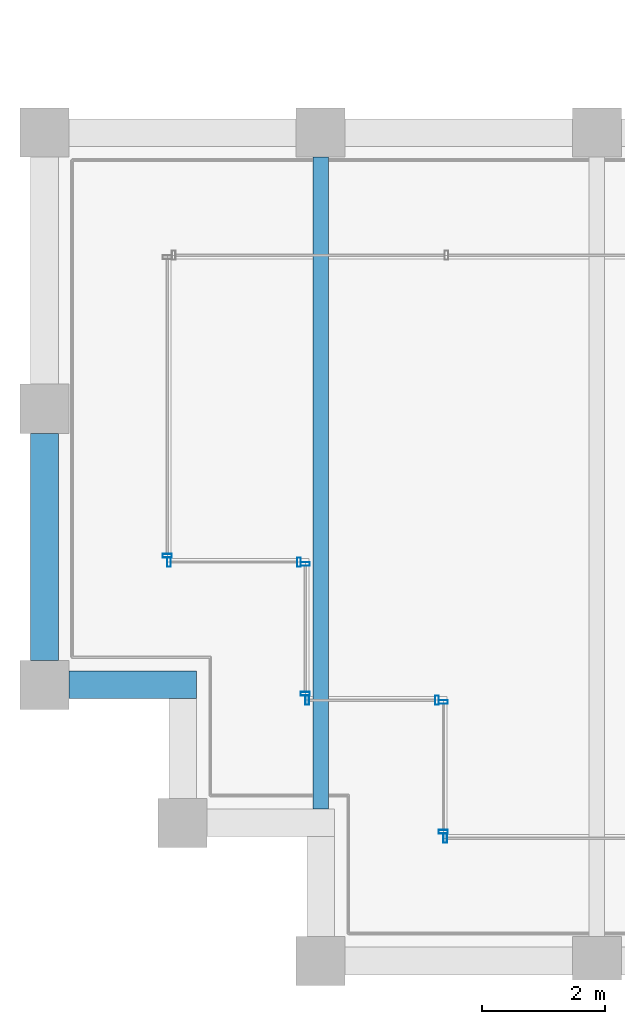
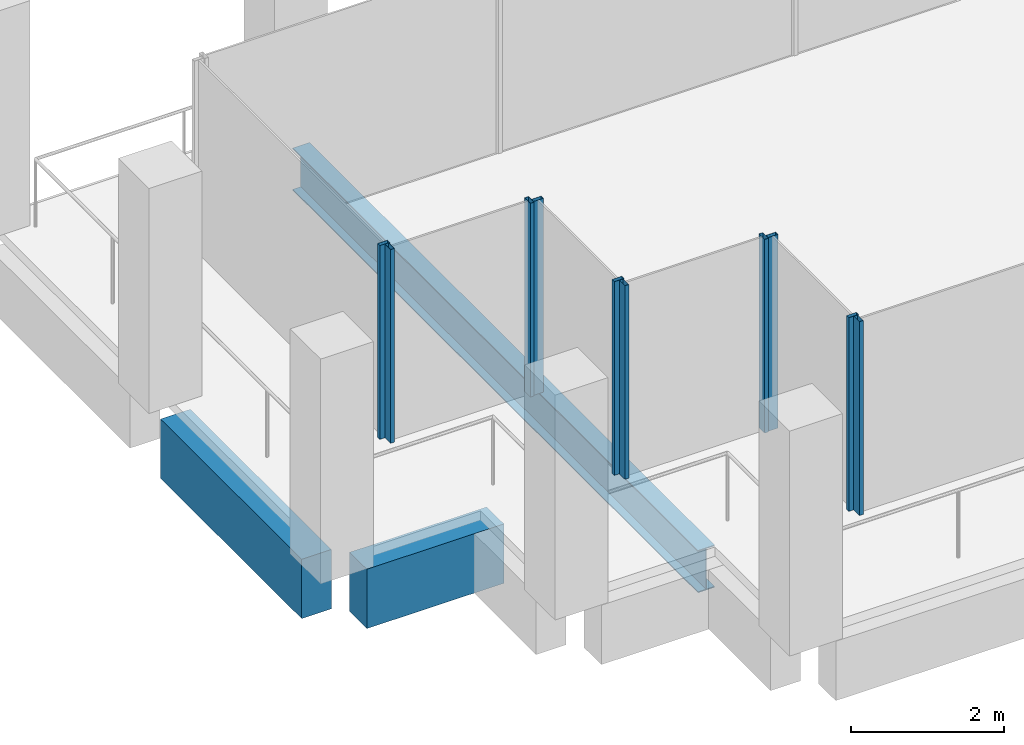
# One storey, part 2 of 30: 10 members, 3 beams, 6 elements without a shape of their own.
"""IFC4 building model written with IfcOpenShell, lengths in metres."""

from ifc_helpers import new_model, si_unit, direction, frame, origin, origin_2d, place, context, subcontext, project, spatial, rectangle, hollow_rectangle, i_section, extrude, material, material_profile, profile_set, type_object, element, aggregate, save


model = new_model("IFC4")

# Units and contexts
model_context = context("Model", 3, precision=1e-05, world=origin(), true_north=direction((0.0, 1.0)))
body_context = subcontext(model_context, "Body", "Model", "MODEL_VIEW")
ifc_project = project(units=[si_unit("LENGTHUNIT", "METRE"), si_unit("AREAUNIT", "SQUARE_METRE"), si_unit("VOLUMEUNIT", "CUBIC_METRE"), si_unit("PLANEANGLEUNIT", "RADIAN"), si_unit("MASSUNIT", "GRAM", prefix="KILO")], contexts=[model_context])

# Site, building, storey
site_placement = place(None, origin())
site = spatial("IfcSite", under=ifc_project, at=site_placement, CompositionType="ELEMENT")
building_placement = place(site_placement, origin())
building = spatial("IfcBuilding", under=site, at=building_placement, Name="Altepetl Exchange Towers", CompositionType="ELEMENT")
storey_placement = place(building_placement, frame((0.0, 0.0, 238.800048828125)))
storey = spatial("IfcBuildingStorey", under=building, at=storey_placement, Name="L61", CompositionType="ELEMENT", Elevation=238.800048828125)

# Beam
ifc_material_1 = material(Name="Steel S355", Category="steel")
ifc_material_profile_1 = material_profile(ifc_material_1, i_section(OverallWidth=0.2529296875, OverallDepth=0.677978515625, WebThickness=0.01171875, FlangeThickness=0.016357421875, at=origin_2d()), Name="W27X84")
ifc_profile_set_1 = profile_set([ifc_material_profile_1], Name="Steel S355")
beam_type_1 = type_object("IfcBeamType", Name="Floor beam W27X84", PredefinedType="BEAM", material=ifc_profile_set_1)
beam_1_placement = place(storey_placement, frame((31.5, 29.47509765625, -0.489013671875), z_axis=(0.0, 1.0, 0.0), x_axis=(-1.0, 0.0, 0.0)))
element("IfcBeam", 1, at=beam_1_placement, inside=storey, type_object=beam_type_1, Name="bm:A:L61:012", PredefinedType="BEAM", context=body_context, shape_type="SweptSolid", body=[
    extrude(i_section(OverallWidth=0.2529296875, OverallDepth=0.677978515625, WebThickness=0.01171875, FlangeThickness=0.016357421875, at=origin_2d()), origin(), (0.0, 0.0, 1.0), 10.625),
])

# Curtain wall, member
ifc_material_2 = material(Name="Aluminium 6063-T6 glazing", Category="aluminium")
curtain_wall_type = type_object("IfcCurtainWallType", Name="Loggia glazing system", PredefinedType="NOTDEFINED", material=ifc_material_2)
curtain_wall_1_placement = place(storey_placement, origin())
curtain_wall_1 = element("IfcCurtainWall", 2, at=curtain_wall_1_placement, inside=storey, type_object=curtain_wall_type, Name="CW1 run", PredefinedType="NOTDEFINED")
ifc_material_3 = material(Name="Aluminium 6063-T6", Category="aluminium")
ifc_material_profile_2 = material_profile(ifc_material_3, hollow_rectangle(XDim=0.06005859375, YDim=0.14990234375, WallThickness=0.0029296875, at=origin_2d()), Name="Mullion 60x150 aluminium")
ifc_profile_set_2 = profile_set([ifc_material_profile_2], Name="Aluminium 6063-T6")
member_type = type_object("IfcMemberType", Name="Mullion 60x150 aluminium", PredefinedType="MULLION", material=ifc_profile_set_2)
member_1_placement = place(storey_placement, frame((29.0, 33.60498046875, 0.0), z_axis=(0.0, 0.0, 1.0), x_axis=(0.0, -1.0, 0.0)))
member_1 = element("IfcMember", 3, at=member_1_placement, type_object=member_type, Name="MU1 mullion", PredefinedType="MULLION", context=body_context, shape_type="SweptSolid", body=[
    extrude(hollow_rectangle(XDim=0.06005859375, YDim=0.14990234375, WallThickness=0.0029296875, at=origin_2d()), origin(), (0.0, 0.0, 1.0), 3.099853515625),
])
aggregate(curtain_wall_1, [member_1])

# Curtain wall, members
curtain_wall_2_placement = place(storey_placement, origin())
curtain_wall_2 = element("IfcCurtainWall", 4, at=curtain_wall_2_placement, inside=storey, type_object=curtain_wall_type, Name="CW1 run", PredefinedType="NOTDEFINED")
member_2_placement = place(storey_placement, frame((29.030029296875, 33.5, 0.0)))
member_2 = element("IfcMember", 5, at=member_2_placement, type_object=member_type, Name="MU1 mullion", PredefinedType="MULLION", context=body_context, shape_type="SweptSolid", body=[
    extrude(hollow_rectangle(XDim=0.06005859375, YDim=0.14990234375, WallThickness=0.0029296875, at=origin_2d()), origin(), (0.0, 0.0, 1.0), 3.099853515625),
])
member_3_placement = place(storey_placement, frame((31.14501953125, 33.5, 0.0)))
member_3 = element("IfcMember", 6, at=member_3_placement, type_object=member_type, Name="MU1 mullion", PredefinedType="MULLION", context=body_context, shape_type="SweptSolid", body=[
    extrude(hollow_rectangle(XDim=0.06005859375, YDim=0.14990234375, WallThickness=0.0029296875, at=origin_2d()), origin(), (0.0, 0.0, 1.0), 3.099853515625),
])
aggregate(curtain_wall_2, [member_2, member_3])

curtain_wall_3_placement = place(storey_placement, origin())
curtain_wall_3 = element("IfcCurtainWall", 7, at=curtain_wall_3_placement, inside=storey, type_object=curtain_wall_type, Name="CW1 run", PredefinedType="NOTDEFINED")
member_4_placement = place(storey_placement, frame((31.25, 33.469970703125, 0.0), z_axis=(0.0, 0.0, 1.0), x_axis=(0.0, -1.0, 0.0)))
member_4 = element("IfcMember", 8, at=member_4_placement, type_object=member_type, Name="MU1 mullion", PredefinedType="MULLION", context=body_context, shape_type="SweptSolid", body=[
    extrude(hollow_rectangle(XDim=0.06005859375, YDim=0.14990234375, WallThickness=0.0029296875, at=origin_2d()), origin(), (0.0, 0.0, 1.0), 3.099853515625),
])
member_5_placement = place(storey_placement, frame((31.25, 31.35498046875, 0.0), z_axis=(0.0, 0.0, 1.0), x_axis=(0.0, -1.0, 0.0)))
member_5 = element("IfcMember", 9, at=member_5_placement, type_object=member_type, Name="MU1 mullion", PredefinedType="MULLION", context=body_context, shape_type="SweptSolid", body=[
    extrude(hollow_rectangle(XDim=0.06005859375, YDim=0.14990234375, WallThickness=0.0029296875, at=origin_2d()), origin(), (0.0, 0.0, 1.0), 3.099853515625),
])
aggregate(curtain_wall_3, [member_4, member_5])

curtain_wall_4_placement = place(storey_placement, origin())
curtain_wall_4 = element("IfcCurtainWall", 10, at=curtain_wall_4_placement, inside=storey, type_object=curtain_wall_type, Name="CW1 run", PredefinedType="NOTDEFINED")
member_6_placement = place(storey_placement, frame((31.280029296875, 31.25, 0.0)))
member_6 = element("IfcMember", 11, at=member_6_placement, type_object=member_type, Name="MU1 mullion", PredefinedType="MULLION", context=body_context, shape_type="SweptSolid", body=[
    extrude(hollow_rectangle(XDim=0.06005859375, YDim=0.14990234375, WallThickness=0.0029296875, at=origin_2d()), origin(), (0.0, 0.0, 1.0), 3.099853515625),
])
member_7_placement = place(storey_placement, frame((33.39501953125, 31.25, 0.0)))
member_7 = element("IfcMember", 12, at=member_7_placement, type_object=member_type, Name="MU1 mullion", PredefinedType="MULLION", context=body_context, shape_type="SweptSolid", body=[
    extrude(hollow_rectangle(XDim=0.06005859375, YDim=0.14990234375, WallThickness=0.0029296875, at=origin_2d()), origin(), (0.0, 0.0, 1.0), 3.099853515625),
])
aggregate(curtain_wall_4, [member_6, member_7])

curtain_wall_5_placement = place(storey_placement, origin())
curtain_wall_5 = element("IfcCurtainWall", 13, at=curtain_wall_5_placement, inside=storey, type_object=curtain_wall_type, Name="CW1 run", PredefinedType="NOTDEFINED")
member_8_placement = place(storey_placement, frame((33.5, 31.219970703125, 0.0), z_axis=(0.0, 0.0, 1.0), x_axis=(0.0, -1.0, 0.0)))
member_8 = element("IfcMember", 14, at=member_8_placement, type_object=member_type, Name="MU1 mullion", PredefinedType="MULLION", context=body_context, shape_type="SweptSolid", body=[
    extrude(hollow_rectangle(XDim=0.06005859375, YDim=0.14990234375, WallThickness=0.0029296875, at=origin_2d()), origin(), (0.0, 0.0, 1.0), 3.099853515625),
])
member_9_placement = place(storey_placement, frame((33.5, 29.10498046875, 0.0), z_axis=(0.0, 0.0, 1.0), x_axis=(0.0, -1.0, 0.0)))
member_9 = element("IfcMember", 15, at=member_9_placement, type_object=member_type, Name="MU1 mullion", PredefinedType="MULLION", context=body_context, shape_type="SweptSolid", body=[
    extrude(hollow_rectangle(XDim=0.06005859375, YDim=0.14990234375, WallThickness=0.0029296875, at=origin_2d()), origin(), (0.0, 0.0, 1.0), 3.099853515625),
])
aggregate(curtain_wall_5, [member_8, member_9])

# Curtain wall, member
curtain_wall_6_placement = place(storey_placement, origin())
curtain_wall_6 = element("IfcCurtainWall", 16, at=curtain_wall_6_placement, inside=storey, type_object=curtain_wall_type, Name="CW1 run", PredefinedType="NOTDEFINED")
member_10_placement = place(storey_placement, frame((33.530029296875, 29.0, 0.0)))
member_10 = element("IfcMember", 17, at=member_10_placement, type_object=member_type, Name="MU1 mullion", PredefinedType="MULLION", context=body_context, shape_type="SweptSolid", body=[
    extrude(hollow_rectangle(XDim=0.06005859375, YDim=0.14990234375, WallThickness=0.0029296875, at=origin_2d()), origin(), (0.0, 0.0, 1.0), 3.099853515625),
])
aggregate(curtain_wall_6, [member_10])

# Beams
ifc_material_4 = material(Name="Concrete C50/60 precast with cantera blanca facing", Category="concrete")
ifc_material_profile_3 = material_profile(ifc_material_4, rectangle(XDim=0.449951171875, YDim=0.949951171875, at=origin_2d()), Name="450 x 950")
ifc_profile_set_3 = profile_set([ifc_material_profile_3], Name="Concrete C50/60 precast with cantera blanca facing")
beam_type_2 = type_object("IfcBeamType", Name="Spandrel beam 450x950 cantera blanca", PredefinedType="SPANDREL", material=ifc_profile_set_3)
beam_2_placement = place(storey_placement, frame((27.0, 35.60009765625, -0.625), z_axis=(0.0, -1.0, 0.0), x_axis=(1.0, 0.0, 0.0)))
element("IfcBeam", 18, at=beam_2_placement, inside=storey, type_object=beam_type_2, Name="sp:A:L61:037", PredefinedType="SPANDREL", context=body_context, shape_type="SweptSolid", body=[
    extrude(rectangle(XDim=0.449951171875, YDim=0.949951171875, at=origin_2d()), origin(), (0.0, 0.0, 1.0), 3.7001953125),
])
beam_3_placement = place(storey_placement, frame((27.39990234375, 31.5, -0.625), z_axis=(1.0, 0.0, 0.0), x_axis=(0.0, 1.0, 0.0)))
element("IfcBeam", 19, at=beam_3_placement, inside=storey, type_object=beam_type_2, Name="sp:A:L61:038", PredefinedType="SPANDREL", context=body_context, shape_type="SweptSolid", body=[
    extrude(rectangle(XDim=0.449951171875, YDim=0.949951171875, at=origin_2d()), origin(), (0.0, 0.0, 1.0), 2.0751953125),
])

save(model, "model.ifc")
